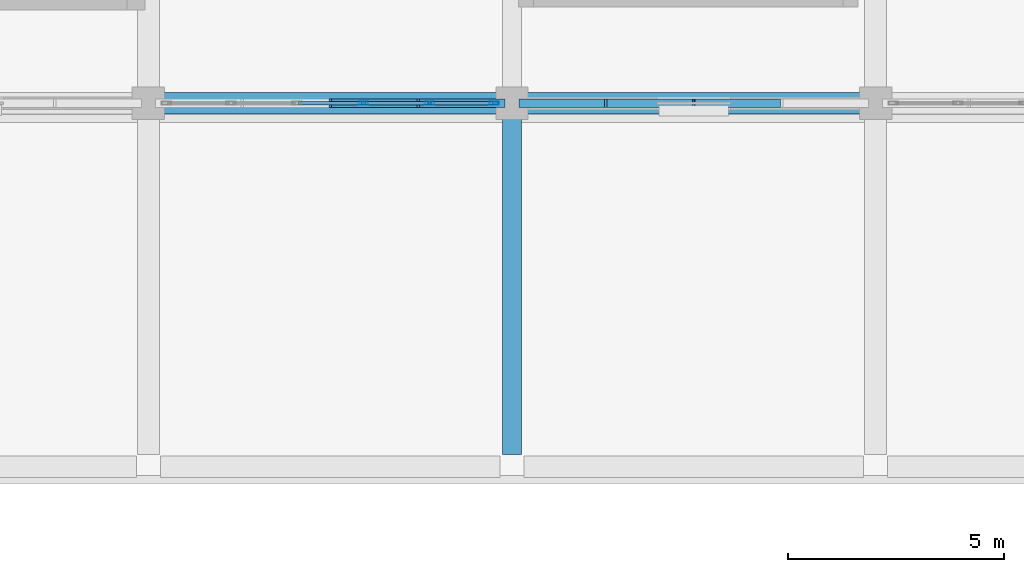
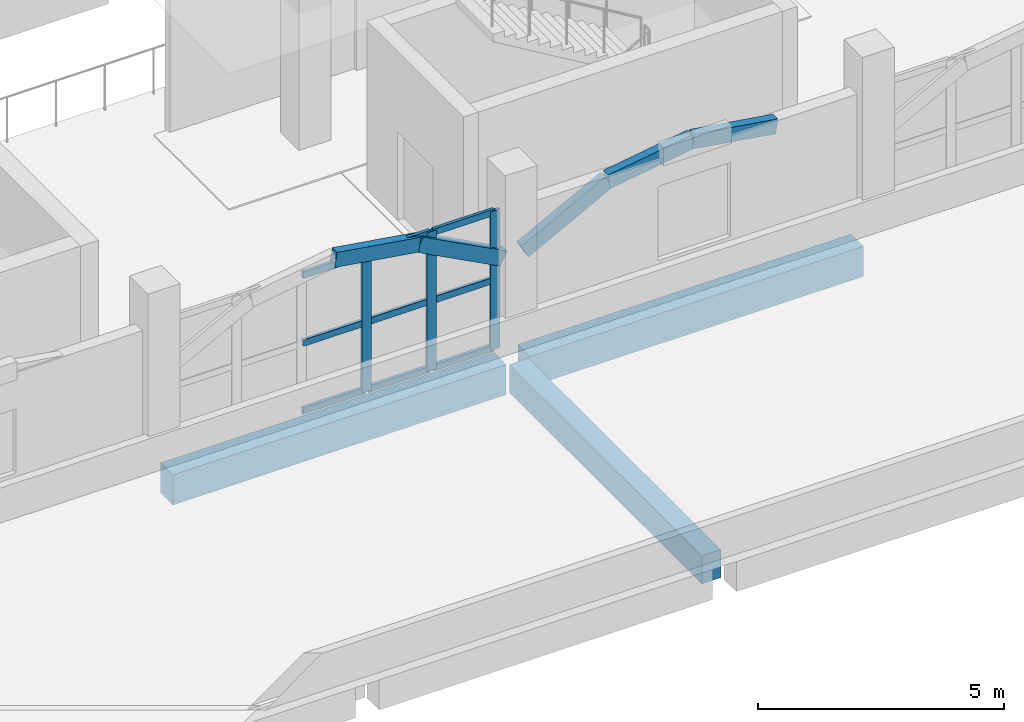
# One storey, part 6 of 30: 17 members, 3 beams, 1 element without a shape of its own.
"""IFC4 building model written with IfcOpenShell, lengths in metres."""

import ifcopenshell
import ifcopenshell.guid

model = None  # the IFC model being written
_history = None  # IfcOwnerHistory: only IFC2X3 demands one
_inside = {}  # id of a spatial element -> (the spatial element, [elements in it])
_under = {}  # id of a project, library or spatial element -> (it, [spatial elements below it])
_declared = {}  # id of a project -> (the project, [libraries it declares])
_typed = {}  # id of a type object -> (the type object, [elements of that type])
_made_of = {}  # id of a material, layer set ... -> (it, [elements and type objects made of it])


def new_model(schema):
    """Start an empty IFC model of exactly this schema.

    Asked for "IFC4X3", IfcOpenShell would pick the latest addendum, in which some entities
    have other attributes; the version numbers below select the first issue.
    IFC2X3 requires an IfcOwnerHistory on every rooted entity: one is made here for all.
    """
    global model, _history
    if schema == "IFC4X3":
        model = ifcopenshell.file(schema_version=(4, 3, 0, 0))
    else:
        model = ifcopenshell.file(schema=schema)
    _inside.clear()
    _under.clear()
    _declared.clear()
    _typed.clear()
    _made_of.clear()
    _history = None
    if model.schema == "IFC2X3":
        org = make("IfcOrganization", Name="unknown")
        user = make(
            "IfcPersonAndOrganization",
            ThePerson=make("IfcPerson", FamilyName="unknown"),
            TheOrganization=org,
        )
        app = make(
            "IfcApplication",
            ApplicationDeveloper=org,
            Version="unknown",
            ApplicationFullName="unknown",
            ApplicationIdentifier="unknown",
        )
        _history = make(
            "IfcOwnerHistory",
            OwningUser=user,
            OwningApplication=app,
            ChangeAction="ADDED",
            CreationDate=0,
        )
    return model


def make(cls, **values):
    """One entity of the class cls with the attributes given. An attribute that is None is left unset."""
    return model.create_entity(
        cls, **{name: value for name, value in values.items() if value is not None}
    )


def rooted(cls, **values):
    """An entity with a GlobalId (a new one), such as an element, a storey or a relation."""
    return make(cls, GlobalId=ifcopenshell.guid.new(), OwnerHistory=_history, **values)


def si_unit(unit_type, name, prefix=None):
    """IfcSIUnit, for example si_unit("LENGTHUNIT", "METRE", prefix="MILLI")."""
    return make("IfcSIUnit", UnitType=unit_type, Prefix=prefix, Name=name)


def assignment(units):
    """IfcUnitAssignment: the units of a project."""
    return None if units is None else make("IfcUnitAssignment", Units=units)


def point(xyz):
    """IfcCartesianPoint."""
    return None if xyz is None else make("IfcCartesianPoint", Coordinates=xyz)


def direction(xyz):
    """IfcDirection."""
    return None if xyz is None else make("IfcDirection", DirectionRatios=xyz)


def frame(location, z_axis=None, x_axis=None):
    """IfcAxis2Placement3D, a coordinate frame: its origin and axes. An axis left out is left unset."""
    return make(
        "IfcAxis2Placement3D",
        Location=point(location),
        Axis=direction(z_axis),
        RefDirection=direction(x_axis),
    )


def frame_2d(location, x_axis=None):
    """IfcAxis2Placement2D, a coordinate frame in the plane: its origin and x axis."""
    return make(
        "IfcAxis2Placement2D", Location=point(location), RefDirection=direction(x_axis)
    )


def origin():
    """The frame at (0, 0, 0) with its axes left unset."""
    return frame((0.0, 0.0, 0.0))


def origin_2d():
    """The frame at (0, 0) in the plane with its x axis left unset."""
    return frame_2d((0.0, 0.0))


def place(relative_to, where):
    """IfcLocalPlacement: puts the frame where relative to a parent placement (None: the world)."""
    return make(
        "IfcLocalPlacement", PlacementRelTo=relative_to, RelativePlacement=where
    )


def context(
    kind, dimensions, precision=None, world=None, true_north=None, identifier=None
):
    """IfcGeometricRepresentationContext, for example the 3D "Model" context."""
    return make(
        "IfcGeometricRepresentationContext",
        ContextIdentifier=identifier,
        ContextType=kind,
        CoordinateSpaceDimension=dimensions,
        Precision=precision,
        WorldCoordinateSystem=world,
        TrueNorth=true_north,
    )


def subcontext(parent, identifier, kind, view, scale=None):
    """IfcGeometricRepresentationSubContext, for example "Body" below "Model"."""
    return make(
        "IfcGeometricRepresentationSubContext",
        ContextIdentifier=identifier,
        ContextType=kind,
        ParentContext=parent,
        TargetScale=scale,
        TargetView=view,
    )


def project(units=None, contexts=None):
    """IfcProject with its units and contexts."""
    return rooted(
        "IfcProject",
        Name="project",
        RepresentationContexts=contexts,
        UnitsInContext=assignment(units),
    )


def spatial(cls, under=None, at=None, **own):
    """A site, building, storey or space (cls), placed at a placement, below another one or the project."""
    s = rooted(cls, ObjectPlacement=at, **own)
    if under is not None:
        _under.setdefault(under.id(), (under, []))[1].append(s)
    return s


def profile(cls, at=None, kind="AREA", **sizes):
    """A parametric profile (cls). Its sizes go by their IFC names, for example OverallWidth=200.0."""
    return make(cls, ProfileType=kind, Position=at, **sizes)


def rectangle(**sizes):
    """IfcRectangleProfileDef."""
    return profile("IfcRectangleProfileDef", **sizes)


def hollow_rectangle(**sizes):
    """IfcRectangleHollowProfileDef."""
    return profile("IfcRectangleHollowProfileDef", **sizes)


def extrude(swept, where, along, depth):
    """IfcExtrudedAreaSolid: the profile swept, set in the frame where, extruded along a direction by depth."""
    return make(
        "IfcExtrudedAreaSolid",
        SweptArea=swept,
        Position=where,
        ExtrudedDirection=direction(along),
        Depth=depth,
    )


def shape(context_of_items, identifier, shape_type, items):
    """IfcShapeRepresentation: the items that make up one representation, for example the "Body"."""
    return make(
        "IfcShapeRepresentation",
        ContextOfItems=context_of_items,
        RepresentationIdentifier=identifier,
        RepresentationType=shape_type,
        Items=items,
    )


def material(Name=None, Category=None):
    """IfcMaterial."""
    return make("IfcMaterial", Name=Name, Category=Category)


def layer(
    of_material, thickness, ventilated=None, Name=None, Category=None, Priority=None
):
    """IfcMaterialLayer: one layer of a wall or slab, of a material (None: an air gap)."""
    return make(
        "IfcMaterialLayer",
        Material=of_material,
        LayerThickness=thickness,
        IsVentilated=ventilated,
        Name=Name,
        Category=Category,
        Priority=Priority,
    )


def layer_set(layers, Name=None):
    """IfcMaterialLayerSet."""
    return make("IfcMaterialLayerSet", MaterialLayers=layers, LayerSetName=Name)


def material_profile(
    of_material, cross_section, Name=None, Category=None, Priority=None
):
    """IfcMaterialProfile: a cross section and its material."""
    return make(
        "IfcMaterialProfile",
        Name=Name,
        Material=of_material,
        Profile=cross_section,
        Priority=Priority,
        Category=Category,
    )


def profile_set(profiles, Name=None, composite=None):
    """IfcMaterialProfileSet."""
    return make(
        "IfcMaterialProfileSet",
        Name=Name,
        MaterialProfiles=profiles,
        CompositeProfile=composite,
    )


def made_of(thing, what):
    """Note that an element or type object is made of a material, layer set ...; save() writes the relation."""
    if what is not None:
        _made_of.setdefault(what.id(), (what, []))[1].append(thing)
    return thing


def type_object(cls, material=None, **own):
    """A type object (cls), such as IfcWallType, which elements share."""
    return made_of(rooted(cls, **own), material)


def element(
    cls,
    number,
    at=None,
    inside=None,
    cuts=None,
    type_object=None,
    material=None,
    context=None,
    identifier="Body",
    shape_type=None,
    held_by="IfcProductDefinitionShape",
    body=None,
    shapes=None,
    **own,
):
    """One element of the class cls, such as IfcWall. Its Tag is "e" and its number.

    at: its placement. inside: the storey or other place that contains it. cuts: it is an
    opening in that element (IfcRelVoidsElement). A single representation is given by context,
    identifier, shape_type and body (its items); several are given by shapes. held_by: the class
    of the entity that holds the representations. save() writes the other relations.
    """
    e = rooted(cls, Tag="e%d" % number, ObjectPlacement=at, **own)
    if body is not None:
        shapes = [shape(context, identifier, shape_type, body)]
    if shapes is not None:
        e.Representation = make(held_by, Representations=shapes)
    if inside is not None:
        _inside.setdefault(inside.id(), (inside, []))[1].append(e)
    if cuts is not None:
        rooted(
            "IfcRelVoidsElement", RelatingBuildingElement=cuts, RelatedOpeningElement=e
        )
    if type_object is not None:
        _typed.setdefault(type_object.id(), (type_object, []))[1].append(e)
    return made_of(e, material)


def aggregate(whole, parts):
    """IfcRelAggregates: a whole, such as a stair, and the parts it consists of."""
    return rooted("IfcRelAggregates", RelatingObject=whole, RelatedObjects=parts)


def save(model, path):
    """Write the relations noted so far, then the file.

    IfcRelAggregates (storeys below a building ...), IfcRelContainedInSpatialStructure (elements
    in a storey), IfcRelDefinesByType, IfcRelAssociatesMaterial and IfcRelDeclares: one each for
    every whole, place, type object, material and project.
    """
    for whole, parts in _under.values():
        aggregate(whole, parts)
    for where, things in _inside.values():
        rooted(
            "IfcRelContainedInSpatialStructure",
            RelatedElements=things,
            RelatingStructure=where,
        )
    for kind, things in _typed.values():
        rooted("IfcRelDefinesByType", RelatedObjects=things, RelatingType=kind)
    for what, things in _made_of.values():
        rooted("IfcRelAssociatesMaterial", RelatedObjects=things, RelatingMaterial=what)
    for by, libraries in _declared.values():
        rooted("IfcRelDeclares", RelatingContext=by, RelatedDefinitions=libraries)
    model.write(path)


model = new_model("IFC4")

# Units and contexts
model_context = context("Model", 3, precision=1e-05, world=origin(), true_north=direction((0.0, 1.0)))
body_context = subcontext(model_context, "Body", "Model", "MODEL_VIEW")
ifc_project = project(units=[si_unit("LENGTHUNIT", "METRE"), si_unit("AREAUNIT", "SQUARE_METRE"), si_unit("VOLUMEUNIT", "CUBIC_METRE"), si_unit("PLANEANGLEUNIT", "RADIAN"), si_unit("MASSUNIT", "GRAM", prefix="KILO")], contexts=[model_context])

# Site, building, storey
site_placement = place(None, origin())
site = spatial("IfcSite", under=ifc_project, at=site_placement, CompositionType="ELEMENT")
building_placement = place(site_placement, origin())
building = spatial("IfcBuilding", under=site, at=building_placement, Name="Xazarin Passage Department Store", CompositionType="ELEMENT")
storey_placement = place(building_placement, frame((0.0, 0.0, 23.39990234375)))
storey = spatial("IfcBuildingStorey", under=building, at=storey_placement, Name="L05", CompositionType="ELEMENT", Elevation=23.39990234375)

# Curtain wall, members
ifc_material_1 = material(Name="Bronze anodised aluminium", Category="aluminium")
ifc_layer = layer(ifc_material_1, 0.199951171875)
ifc_layer_set = layer_set([ifc_layer], Name="Bronze anodised aluminium")
curtain_wall_type = type_object("IfcCurtainWallType", Name="ARC-CW-VIT2", PredefinedType="NOTDEFINED", material=ifc_layer_set)
curtain_wall_placement = place(storey_placement, origin())
curtain_wall = element("IfcCurtainWall", 1, at=curtain_wall_placement, inside=storey, type_object=curtain_wall_type, Name="L05 V1 Curtain Wall 077", PredefinedType="NOTDEFINED")
ifc_material_profile_1 = material_profile(ifc_material_1, hollow_rectangle(XDim=0.074951171875, YDim=0.219970703125, WallThickness=0.0048828125, at=origin_2d()), Name="ALU 75x220")
ifc_profile_set_1 = profile_set([ifc_material_profile_1], Name="Bronze anodised aluminium")
member_type_1 = type_object("IfcMemberType", Name="ARC-CWM-75x220", PredefinedType="MULLION", material=ifc_profile_set_1)
member_1_placement = place(storey_placement, frame((21.764892578125, 76.39990234375, 0.0), z_axis=(0.0, 0.0, 1.0), x_axis=(0.0, 1.0, 0.0)))
member_1 = element("IfcMember", 2, at=member_1_placement, type_object=member_type_1, Name="CW2 mullion 4", PredefinedType="MULLION", context=body_context, shape_type="SweptSolid", body=[
    extrude(hollow_rectangle(XDim=0.074951171875, YDim=0.219970703125, WallThickness=0.0048828125, at=origin_2d()), origin(), (0.0, 0.0, 1.0), 3.4501953125),
])
member_2_placement = place(storey_placement, frame((23.294921875, 76.39990234375, 0.0), z_axis=(0.0, 0.0, 1.0), x_axis=(0.0, 1.0, 0.0)))
member_2 = element("IfcMember", 3, at=member_2_placement, type_object=member_type_1, Name="CW2 mullion 5", PredefinedType="MULLION", context=body_context, shape_type="SweptSolid", body=[
    extrude(hollow_rectangle(XDim=0.074951171875, YDim=0.219970703125, WallThickness=0.0048828125, at=origin_2d()), origin(), (0.0, 0.0, 1.0), 3.4501953125),
])
member_3_placement = place(storey_placement, frame((24.78759765625, 76.39990234375, 0.0), z_axis=(0.0, 0.0, 1.0), x_axis=(0.0, 1.0, 0.0)))
member_3 = element("IfcMember", 4, at=member_3_placement, type_object=member_type_1, Name="CW2 mullion 6", PredefinedType="MULLION", context=body_context, shape_type="SweptSolid", body=[
    extrude(hollow_rectangle(XDim=0.074951171875, YDim=0.219970703125, WallThickness=0.0048828125, at=origin_2d()), origin(), (0.0, 0.0, 1.0), 3.4501953125),
])
ifc_material_profile_2 = material_profile(ifc_material_1, hollow_rectangle(XDim=0.074951171875, YDim=0.159912109375, WallThickness=0.00439453125, at=origin_2d()), Name="ALU 75x160")
ifc_profile_set_2 = profile_set([ifc_material_profile_2], Name="Bronze anodised aluminium")
member_type_2 = type_object("IfcMemberType", Name="ARC-CWT-75x160", PredefinedType="USERDEFINED", material=ifc_profile_set_2)
member_4_placement = place(storey_placement, frame((20.2724609375, 76.39990234375, 0.03759765625), z_axis=(1.0, 0.0, 0.0), x_axis=(0.0, 1.0, 0.0)))
member_4 = element("IfcMember", 5, at=member_4_placement, type_object=member_type_2, Name="CW2 transom 3.1", ObjectType="TRANSOM", PredefinedType="USERDEFINED", context=body_context, shape_type="SweptSolid", body=[
    extrude(hollow_rectangle(XDim=0.074951171875, YDim=0.159912109375, WallThickness=0.00439453125, at=origin_2d()), origin(), (0.0, 0.0, 1.0), 1.455078125),
])
member_5_placement = place(storey_placement, frame((20.2724609375, 76.39990234375, 1.72509765625), z_axis=(1.0, 0.0, 0.0), x_axis=(0.0, 1.0, 0.0)))
member_5 = element("IfcMember", 6, at=member_5_placement, type_object=member_type_2, Name="CW2 transom 3.2", ObjectType="TRANSOM", PredefinedType="USERDEFINED", context=body_context, shape_type="SweptSolid", body=[
    extrude(hollow_rectangle(XDim=0.074951171875, YDim=0.159912109375, WallThickness=0.00439453125, at=origin_2d()), origin(), (0.0, 0.0, 1.0), 1.455078125),
])
member_6_placement = place(storey_placement, frame((20.2724609375, 76.39990234375, 3.41259765625), z_axis=(1.0, 0.0, 0.0), x_axis=(0.0, 1.0, 0.0)))
member_6 = element("IfcMember", 7, at=member_6_placement, type_object=member_type_2, Name="CW2 transom 3.3", ObjectType="TRANSOM", PredefinedType="USERDEFINED", context=body_context, shape_type="SweptSolid", body=[
    extrude(hollow_rectangle(XDim=0.074951171875, YDim=0.159912109375, WallThickness=0.00439453125, at=origin_2d()), origin(), (0.0, 0.0, 1.0), 1.455078125),
])
member_7_placement = place(storey_placement, frame((21.802490234375, 76.39990234375, 0.03759765625), z_axis=(1.0, 0.0, 0.0), x_axis=(0.0, 1.0, 0.0)))
member_7 = element("IfcMember", 8, at=member_7_placement, type_object=member_type_2, Name="CW2 transom 4.1", ObjectType="TRANSOM", PredefinedType="USERDEFINED", context=body_context, shape_type="SweptSolid", body=[
    extrude(hollow_rectangle(XDim=0.074951171875, YDim=0.159912109375, WallThickness=0.00439453125, at=origin_2d()), origin(), (0.0, 0.0, 1.0), 1.455078125),
])
member_8_placement = place(storey_placement, frame((21.802490234375, 76.39990234375, 1.72509765625), z_axis=(1.0, 0.0, 0.0), x_axis=(0.0, 1.0, 0.0)))
member_8 = element("IfcMember", 9, at=member_8_placement, type_object=member_type_2, Name="CW2 transom 4.2", ObjectType="TRANSOM", PredefinedType="USERDEFINED", context=body_context, shape_type="SweptSolid", body=[
    extrude(hollow_rectangle(XDim=0.074951171875, YDim=0.159912109375, WallThickness=0.00439453125, at=origin_2d()), origin(), (0.0, 0.0, 1.0), 1.455078125),
])
member_9_placement = place(storey_placement, frame((21.802490234375, 76.39990234375, 3.41259765625), z_axis=(1.0, 0.0, 0.0), x_axis=(0.0, 1.0, 0.0)))
member_9 = element("IfcMember", 10, at=member_9_placement, type_object=member_type_2, Name="CW2 transom 4.3", ObjectType="TRANSOM", PredefinedType="USERDEFINED", context=body_context, shape_type="SweptSolid", body=[
    extrude(hollow_rectangle(XDim=0.074951171875, YDim=0.159912109375, WallThickness=0.00439453125, at=origin_2d()), origin(), (0.0, 0.0, 1.0), 1.455078125),
])
member_10_placement = place(storey_placement, frame((23.33251953125, 76.39990234375, 0.03759765625), z_axis=(1.0, 0.0, 0.0), x_axis=(0.0, 1.0, 0.0)))
member_10 = element("IfcMember", 11, at=member_10_placement, type_object=member_type_2, Name="CW2 transom 5.1", ObjectType="TRANSOM", PredefinedType="USERDEFINED", context=body_context, shape_type="SweptSolid", body=[
    extrude(hollow_rectangle(XDim=0.074951171875, YDim=0.159912109375, WallThickness=0.00439453125, at=origin_2d()), origin(), (0.0, 0.0, 1.0), 1.41748046875),
])
member_11_placement = place(storey_placement, frame((23.33251953125, 76.39990234375, 1.72509765625), z_axis=(1.0, 0.0, 0.0), x_axis=(0.0, 1.0, 0.0)))
member_11 = element("IfcMember", 12, at=member_11_placement, type_object=member_type_2, Name="CW2 transom 5.2", ObjectType="TRANSOM", PredefinedType="USERDEFINED", context=body_context, shape_type="SweptSolid", body=[
    extrude(hollow_rectangle(XDim=0.074951171875, YDim=0.159912109375, WallThickness=0.00439453125, at=origin_2d()), origin(), (0.0, 0.0, 1.0), 1.41748046875),
])
member_12_placement = place(storey_placement, frame((23.33251953125, 76.39990234375, 3.41259765625), z_axis=(1.0, 0.0, 0.0), x_axis=(0.0, 1.0, 0.0)))
member_12 = element("IfcMember", 13, at=member_12_placement, type_object=member_type_2, Name="CW2 transom 5.3", ObjectType="TRANSOM", PredefinedType="USERDEFINED", context=body_context, shape_type="SweptSolid", body=[
    extrude(hollow_rectangle(XDim=0.074951171875, YDim=0.159912109375, WallThickness=0.00439453125, at=origin_2d()), origin(), (0.0, 0.0, 1.0), 1.41748046875),
])
aggregate(curtain_wall, [member_1, member_2, member_3, member_4, member_5, member_6, member_7, member_8, member_9, member_10, member_11, member_12])

# Beams
ifc_material_2 = material(Name="Concrete C35/45", Category="concrete")
ifc_material_profile_3 = material_profile(ifc_material_2, rectangle(XDim=0.449951171875, YDim=0.699951171875, at=origin_2d()), Name="RC 450x700")
ifc_profile_set_3 = profile_set([ifc_material_profile_3], Name="Concrete C35/45")
beam_type_1 = type_object("IfcBeamType", Name="STR-BM-G450x700", PredefinedType="BEAM", material=ifc_profile_set_3)
beam_1_placement = place(storey_placement, frame((25.199951171875, 68.280029296875, -0.64990234375), z_axis=(0.0, 1.0, 0.0), x_axis=(-1.0, 0.0, 0.0)))
element("IfcBeam", 14, at=beam_1_placement, inside=storey, type_object=beam_type_1, Name="L05 Grid Beam 4/K-L", PredefinedType="BEAM", context=body_context, shape_type="SweptSolid", body=[
    extrude(rectangle(XDim=0.449951171875, YDim=0.699951171875, at=origin_2d()), origin(), (0.0, 0.0, 1.0), 7.840087890625),
])
ifc_material_profile_4 = material_profile(ifc_material_2, rectangle(XDim=0.5, YDim=0.75, at=origin_2d()), Name="RC 500x750")
ifc_profile_set_4 = profile_set([ifc_material_profile_4], Name="Concrete C35/45")
beam_type_2 = type_object("IfcBeamType", Name="STR-BM-SP500x750", PredefinedType="SPANDREL", material=ifc_profile_set_4)
beam_2_placement = place(storey_placement, frame((17.080078125, 76.39990234375, -0.6748046875), z_axis=(1.0, 0.0, 0.0), x_axis=(0.0, 1.0, 0.0)))
element("IfcBeam", 15, at=beam_2_placement, inside=storey, type_object=beam_type_2, Name="L05 Grid Beam L/3-4", PredefinedType="SPANDREL", context=body_context, shape_type="SweptSolid", body=[
    extrude(rectangle(XDim=0.5, YDim=0.75, at=origin_2d()), origin(), (0.0, 0.0, 1.0), 7.83984375),
])
beam_3_placement = place(storey_placement, frame((25.47998046875, 76.39990234375, -0.6748046875), z_axis=(1.0, 0.0, 0.0), x_axis=(0.0, 1.0, 0.0)))
element("IfcBeam", 16, at=beam_3_placement, inside=storey, type_object=beam_type_2, Name="L05 Grid Beam L/4-5", PredefinedType="SPANDREL", context=body_context, shape_type="SweptSolid", body=[
    extrude(rectangle(XDim=0.5, YDim=0.75, at=origin_2d()), origin(), (0.0, 0.0, 1.0), 7.840087890625),
])

# Members
ifc_material_3 = material(Name="Concrete C40/50", Category="concrete")
ifc_material_profile_5 = material_profile(ifc_material_3, rectangle(XDim=0.199951171875, YDim=0.360107421875, at=origin_2d()), Name="RC 200x360")
ifc_profile_set_5 = profile_set([ifc_material_profile_5], Name="Concrete C40/50")
member_type_3 = type_object("IfcMemberType", Name="STR-MEM-ARC360", PredefinedType="CHORD", material=ifc_profile_set_5)
member_13_placement = place(storey_placement, frame((21.0, 76.39990234375, 3.580078125), z_axis=(0.987938581312, 0.0, -0.154846244883), x_axis=(0.0, 1.0, 0.0)))
element("IfcMember", 17, at=member_13_placement, inside=storey, type_object=member_type_3, Name="L05 V1 Upper Setback Pierced Arch 030.3", PredefinedType="CHORD", context=body_context, shape_type="SweptSolid", body=[
    extrude(rectangle(XDim=0.199951171875, YDim=0.360107421875, at=origin_2d()), origin(), (0.0, 0.0, 1.0), 1.999267578125),
])
member_14_placement = place(storey_placement, frame((22.97509765625, 76.39990234375, 3.2705078125), z_axis=(0.884709354127, 0.0, -0.466143066793), x_axis=(0.0, 1.0, 0.0)))
element("IfcMember", 18, at=member_14_placement, inside=storey, type_object=member_type_3, Name="L05 V1 Upper Setback Pierced Arch 030.4", PredefinedType="CHORD", context=body_context, shape_type="SweptSolid", body=[
    extrude(rectangle(XDim=0.199951171875, YDim=0.360107421875, at=origin_2d()), origin(), (0.0, 0.0, 1.0), 2.232177734375),
])
member_15_placement = place(storey_placement, frame((25.449951171875, 76.39990234375, 2.22998046875), z_axis=(0.88473311603, 0.0, 0.466097965454), x_axis=(0.0, 1.0, 0.0)))
element("IfcMember", 19, at=member_15_placement, inside=storey, type_object=member_type_3, Name="L05 V1 Upper Setback Pierced Arch 031.1", PredefinedType="CHORD", context=body_context, shape_type="SweptSolid", body=[
    extrude(rectangle(XDim=0.199951171875, YDim=0.360107421875, at=origin_2d()), origin(), (0.0, 0.0, 1.0), 2.232421875),
])
member_16_placement = place(storey_placement, frame((27.425048828125, 76.39990234375, 3.2705078125), z_axis=(0.987935652704, 0.0, 0.154864928623), x_axis=(0.0, 1.0, 0.0)))
element("IfcMember", 20, at=member_16_placement, inside=storey, type_object=member_type_3, Name="L05 V1 Upper Setback Pierced Arch 031.2", PredefinedType="CHORD", context=body_context, shape_type="SweptSolid", body=[
    extrude(rectangle(XDim=0.199951171875, YDim=0.360107421875, at=origin_2d()), origin(), (0.0, 0.0, 1.0), 1.9990234375),
])
member_17_placement = place(storey_placement, frame((29.39990234375, 76.39990234375, 3.580078125), z_axis=(0.987938581312, 0.0, -0.154846244883), x_axis=(0.0, 1.0, 0.0)))
element("IfcMember", 21, at=member_17_placement, inside=storey, type_object=member_type_3, Name="L05 V1 Upper Setback Pierced Arch 031.3", PredefinedType="CHORD", context=body_context, shape_type="SweptSolid", body=[
    extrude(rectangle(XDim=0.199951171875, YDim=0.360107421875, at=origin_2d()), origin(), (0.0, 0.0, 1.0), 1.999267578125),
])

save(model, "model.ifc")
